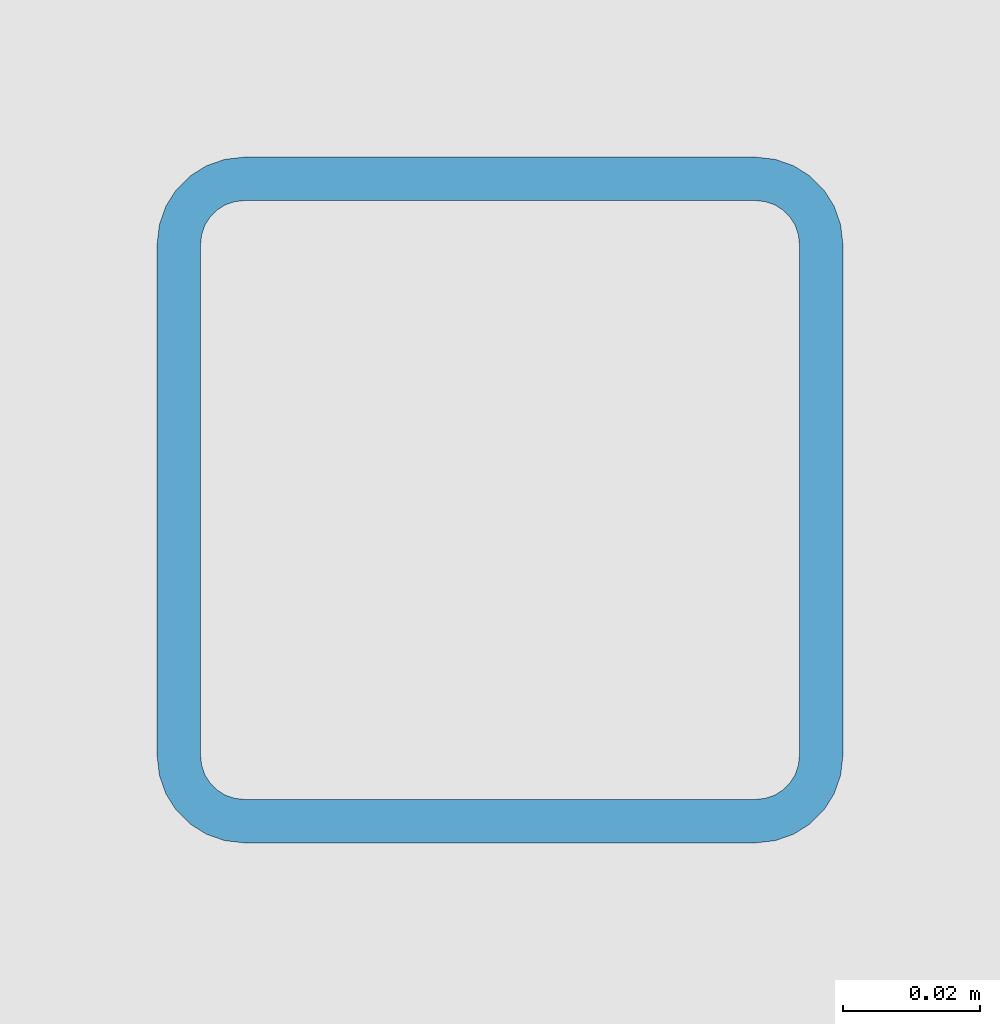
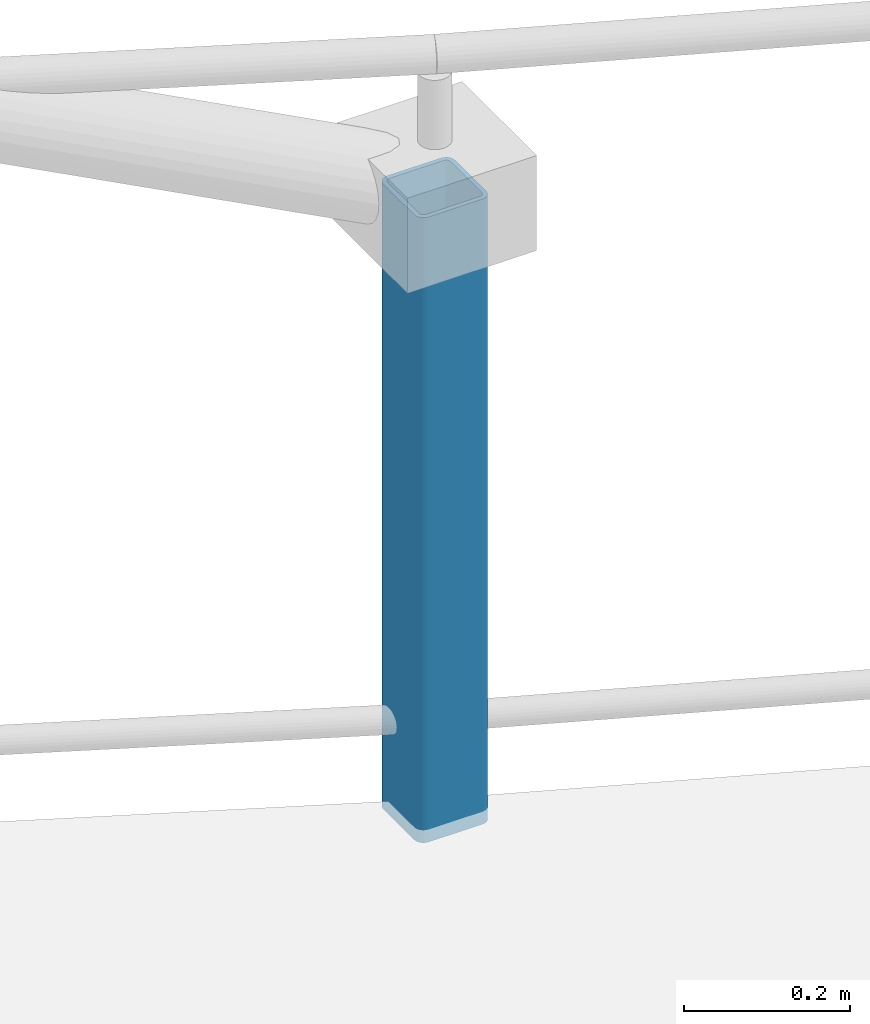
# One storey, part 18 of 58: 1 member.
"""IFC4 building model written with IfcOpenShell, lengths in metres."""

from ifc_helpers import new_model, si_unit, direction, frame, origin, origin_2d, place, context, subcontext, project, spatial, hollow_rectangle, extrude, material, material_profile, profile_set, type_object, element, save


model = new_model("IFC4")

# Units and contexts
model_context = context("Model", 3, precision=1e-05, world=origin(), true_north=direction((0.0, 1.0)))
body_context = subcontext(model_context, "Body", "Model", "MODEL_VIEW")
ifc_project = project(units=[si_unit("LENGTHUNIT", "METRE"), si_unit("AREAUNIT", "SQUARE_METRE"), si_unit("VOLUMEUNIT", "CUBIC_METRE"), si_unit("PLANEANGLEUNIT", "RADIAN"), si_unit("MASSUNIT", "GRAM", prefix="KILO"), si_unit("POWERUNIT", "WATT"), si_unit("THERMODYNAMICTEMPERATUREUNIT", "KELVIN")], contexts=[model_context])

# Site, building, storey
site_placement = place(None, origin())
site = spatial("IfcSite", under=ifc_project, at=site_placement, CompositionType="ELEMENT")
building_placement = place(site_placement, origin())
building = spatial("IfcBuilding", under=site, at=building_placement, Name="Ruvembo Vaulted Housing Court", CompositionType="ELEMENT")
storey_placement = place(building_placement, frame((0.0, 0.0, 20.5)))
storey = spatial("IfcBuildingStorey", under=building, at=storey_placement, Name="L06", CompositionType="ELEMENT", Elevation=20.5)

# Member
ifc_material = material(Name="Steel S355J2", Category="steel")
ifc_material_profile = material_profile(ifc_material, hollow_rectangle(XDim=0.10009765625, YDim=0.10009765625, WallThickness=0.00634765625, InnerFilletRadius=0.00634765625, OuterFilletRadius=0.0126953125, at=origin_2d()), Name="SHS 100x100x6.3")
ifc_profile_set = profile_set([ifc_material_profile], Name="Steel S355J2")
member_type = type_object("IfcMemberType", Name="MEM-FRM-SHS100", PredefinedType="STRUT", material=ifc_profile_set)
member_placement = place(storey_placement, frame((50.637451171875, 20.042236328125, -0.02001953125), z_axis=(0.0, 0.0, 1.0), x_axis=(1.0, 0.0, 0.0)))
element("IfcMember", 1, at=member_placement, inside=storey, type_object=member_type, Name="Scoop SC2 L06 Upswept Post 3B", PredefinedType="STRUT", context=body_context, shape_type="SweptSolid", body=[
    extrude(hollow_rectangle(XDim=0.10009765625, YDim=0.10009765625, WallThickness=0.00634765625, InnerFilletRadius=0.00634765625, OuterFilletRadius=0.0126953125, at=origin_2d()), origin(), (0.0, 0.0, 1.0), 0.919921875),
])

save(model, "model.ifc")
